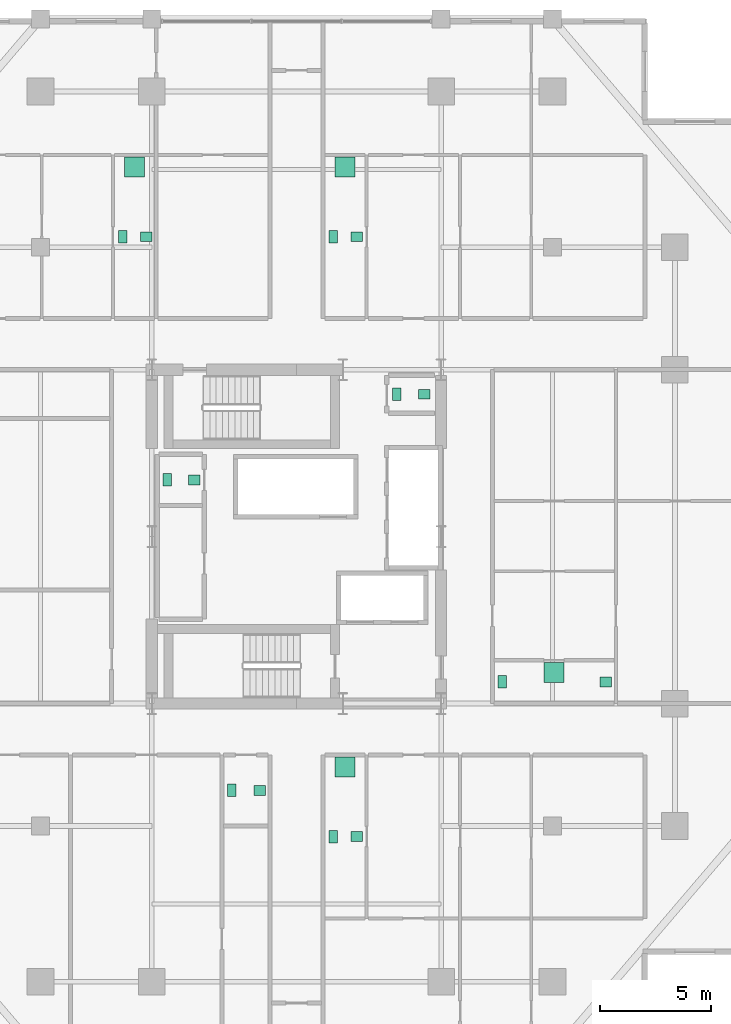
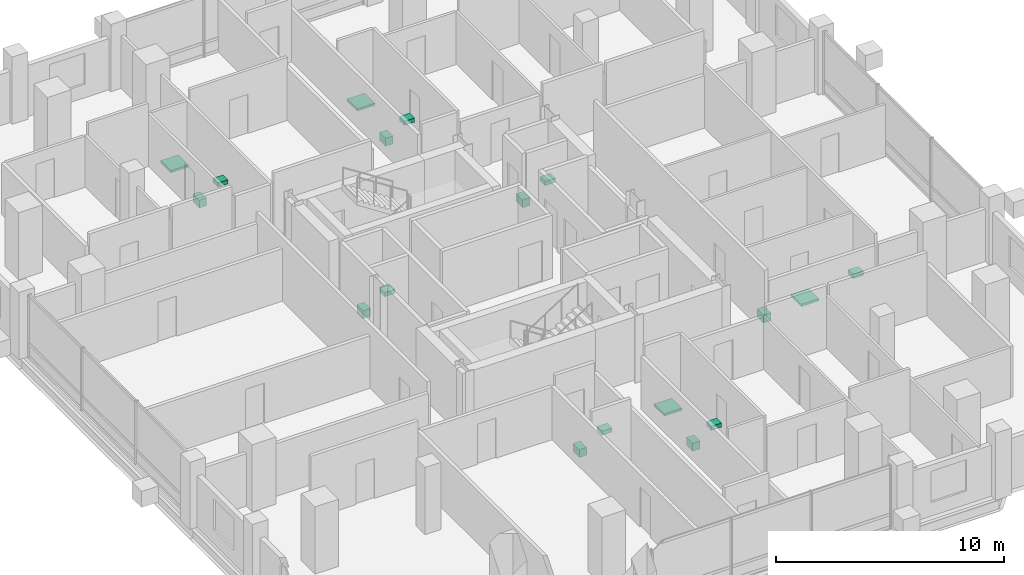
# One storey, part 20 of 20: 18 sanitary terminals.
"""IFC4 building model written with IfcOpenShell, lengths in metres."""

from ifc_helpers import new_model, si_unit, direction, frame, origin, origin_2d, place, context, subcontext, project, spatial, rectangle, extrude, material, type_object, element, save


model = new_model("IFC4")

# Units and contexts
model_context = context("Model", 3, precision=1e-05, world=origin(), true_north=direction((0.0, 1.0)))
body_context = subcontext(model_context, "Body", "Model", "MODEL_VIEW")
ifc_project = project(units=[si_unit("LENGTHUNIT", "METRE"), si_unit("AREAUNIT", "SQUARE_METRE"), si_unit("VOLUMEUNIT", "CUBIC_METRE"), si_unit("PLANEANGLEUNIT", "RADIAN"), si_unit("MASSUNIT", "GRAM", prefix="KILO")], contexts=[model_context])

# Site, building, storey
site_placement = place(None, origin())
site = spatial("IfcSite", under=ifc_project, at=site_placement, CompositionType="ELEMENT")
building_placement = place(site_placement, origin())
building = spatial("IfcBuilding", under=site, at=building_placement, Name="Barlavira Tower and Art Museum", CompositionType="ELEMENT")
storey_placement = place(building_placement, frame((0.0, 0.0, 147.60009765625)))
storey = spatial("IfcBuildingStorey", under=building, at=storey_placement, Name="L37", CompositionType="ELEMENT", Elevation=147.60009765625)

# Sanitary terminals
ifc_material = material(Name="Vitreous glazed ceramic", Category="ceramic")
sanitary_terminal_type_1 = type_object("IfcSanitaryTerminalType", Name="Countertop Ceramic Wash Hand Basin", PredefinedType="WASHHANDBASIN", material=ifc_material)
for number, where, z_axis, x_axis, name in (
    (1, (-4.60009765625, 2.550048828125, 0.73974609375), (0.0, 0.0, 1.0), (1.0, 0.0, 0.0), "L37-C-REC1W Wash Basin"),
    (2, (5.75, 6.39990234375, 0.73974609375), (0.0, 0.0, 1.0), (1.0, 0.0, 0.0), "L37-C-AWC4 Wash Basin"),
    (3, (-1.64990234375, -11.39990234375, 0.73974609375), (0.0, 0.0, 1.0), (1.0, 0.0, 0.0), "L37-SW-SWC Wash Basin"),
    (4, (2.699951171875, -13.47509765625, 0.73974609375), (0.0, 0.0, 1.0), (1.0, 0.0, 0.0), "L37-SE1-BTH1 Wash Basin"),
    (5, (-6.75, 13.47509765625, 0.73974609375), (0.0, 0.0, 1.0), (1.0, 0.0, 0.0), "L37-NW1-BTH1 Wash Basin"),
    (6, (2.699951171875, 13.47509765625, 0.73974609375), (0.0, 0.0, 1.0), (1.0, 0.0, 0.0), "L37-NE1-BTH1 Wash Basin"),
    (7, (13.89990234375, -6.52490234375, 0.73974609375), (0.0, 0.0, 1.0), (1.0, 0.0, 0.0), "L37-E1-BTH1 Wash Basin"),
):
    element("IfcSanitaryTerminal", number, at=place(storey_placement, frame(where, z_axis=z_axis, x_axis=x_axis)), inside=storey, type_object=sanitary_terminal_type_1, Name=name, PredefinedType="WASHHANDBASIN", context=body_context, shape_type="SweptSolid", body=[
        extrude(rectangle(XDim=0.52001953125, YDim=0.43994140625, at=origin_2d()), origin(), (0.0, 0.0, 1.0), 0.219970703125),
    ])
sanitary_terminal_type_2 = type_object("IfcSanitaryTerminalType", Name="Walk-In Thermostatic Rain Shower Unit", PredefinedType="SHOWER", material=ifc_material)
for number, where, z_axis, x_axis, name in (
    (8, (2.175048828125, -10.35009765625, -0.000244140625), (0.0, 0.0, 1.0), (1.0, 0.0, 0.0), "L37-SE1-BTH1 Rain Shower"),
    (9, (-7.27490234375, 16.60009765625, -0.000244140625), (0.0, 0.0, 1.0), (1.0, 0.0, 0.0), "L37-NW1-BTH1 Rain Shower"),
    (10, (2.175048828125, 16.60009765625, -0.000244140625), (0.0, 0.0, 1.0), (1.0, 0.0, 0.0), "L37-NE1-BTH1 Rain Shower"),
    (11, (11.574951171875, -6.10009765625, -0.000244140625), (0.0, 0.0, 1.0), (1.0, 0.0, 0.0), "L37-E1-BTH1 Rain Shower"),
):
    element("IfcSanitaryTerminal", number, at=place(storey_placement, frame(where, z_axis=z_axis, x_axis=x_axis)), inside=storey, type_object=sanitary_terminal_type_2, Name=name, PredefinedType="SHOWER", context=body_context, shape_type="SweptSolid", body=[
        extrude(rectangle(XDim=0.89990234375, YDim=0.89990234375, at=origin_2d()), origin(), (0.0, 0.0, 1.0), 0.1201171875),
    ])
sanitary_terminal_type_3 = type_object("IfcSanitaryTerminalType", Name="Wall-Hung Dual-Flush Vitreous WC Pan", PredefinedType="TOILETPAN", material=ifc_material)
for number, where, z_axis, x_axis, name in (
    (12, (-5.800048828125, 2.550048828125, 0.0), (0.0, 0.0, 1.0), (1.0, 0.0, 0.0), "L37-C-REC1W WC Pan"),
    (13, (4.5, 6.39990234375, 0.0), (0.0, 0.0, 1.0), (1.0, 0.0, 0.0), "L37-C-AWC4 WC Pan"),
    (14, (-2.89990234375, -11.39990234375, 0.0), (0.0, 0.0, 1.0), (1.0, 0.0, 0.0), "L37-SW-SWC WC Pan"),
    (15, (1.64990234375, -13.47509765625, 0.0), (0.0, 0.0, 1.0), (1.0, 0.0, 0.0), "L37-SE1-BTH1 WC Pan"),
    (16, (-7.800048828125, 13.47509765625, 0.0), (0.0, 0.0, 1.0), (1.0, 0.0, 0.0), "L37-NW1-BTH1 WC Pan"),
    (17, (1.64990234375, 13.47509765625, 0.0), (0.0, 0.0, 1.0), (1.0, 0.0, 0.0), "L37-NE1-BTH1 WC Pan"),
    (18, (9.25, -6.52490234375, 0.0), (0.0, 0.0, 1.0), (1.0, 0.0, 0.0), "L37-E1-BTH1 WC Pan"),
):
    element("IfcSanitaryTerminal", number, at=place(storey_placement, frame(where, z_axis=z_axis, x_axis=x_axis)), inside=storey, type_object=sanitary_terminal_type_3, Name=name, PredefinedType="TOILETPAN", context=body_context, shape_type="SweptSolid", body=[
        extrude(rectangle(XDim=0.3798828125, YDim=0.56005859375, at=origin_2d()), origin(), (0.0, 0.0, 1.0), 0.419921875),
    ])

save(model, "model.ifc")
